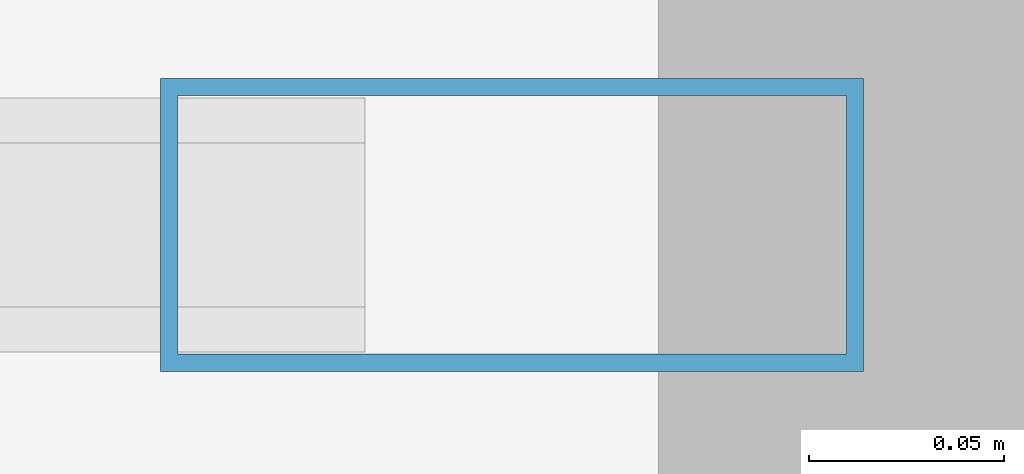
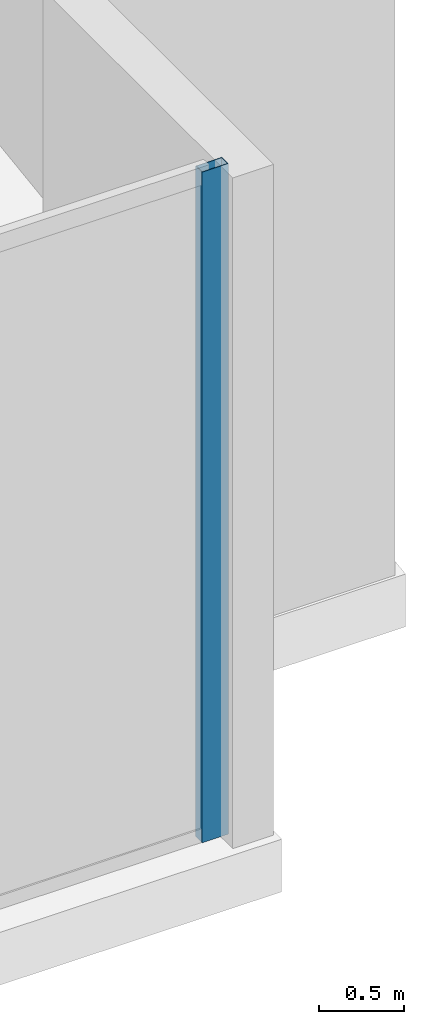
# One storey, part 18 of 36: 1 member, 1 element without a shape of its own.
"""IFC4 building model written with IfcOpenShell, lengths in metres."""

import ifcopenshell
import ifcopenshell.guid

model = None  # the IFC model being written
_history = None  # IfcOwnerHistory: only IFC2X3 demands one
_inside = {}  # id of a spatial element -> (the spatial element, [elements in it])
_under = {}  # id of a project, library or spatial element -> (it, [spatial elements below it])
_declared = {}  # id of a project -> (the project, [libraries it declares])
_typed = {}  # id of a type object -> (the type object, [elements of that type])
_made_of = {}  # id of a material, layer set ... -> (it, [elements and type objects made of it])


def new_model(schema):
    """Start an empty IFC model of exactly this schema.

    Asked for "IFC4X3", IfcOpenShell would pick the latest addendum, in which some entities
    have other attributes; the version numbers below select the first issue.
    IFC2X3 requires an IfcOwnerHistory on every rooted entity: one is made here for all.
    """
    global model, _history
    if schema == "IFC4X3":
        model = ifcopenshell.file(schema_version=(4, 3, 0, 0))
    else:
        model = ifcopenshell.file(schema=schema)
    _inside.clear()
    _under.clear()
    _declared.clear()
    _typed.clear()
    _made_of.clear()
    _history = None
    if model.schema == "IFC2X3":
        org = make("IfcOrganization", Name="unknown")
        user = make(
            "IfcPersonAndOrganization",
            ThePerson=make("IfcPerson", FamilyName="unknown"),
            TheOrganization=org,
        )
        app = make(
            "IfcApplication",
            ApplicationDeveloper=org,
            Version="unknown",
            ApplicationFullName="unknown",
            ApplicationIdentifier="unknown",
        )
        _history = make(
            "IfcOwnerHistory",
            OwningUser=user,
            OwningApplication=app,
            ChangeAction="ADDED",
            CreationDate=0,
        )
    return model


def make(cls, **values):
    """One entity of the class cls with the attributes given. An attribute that is None is left unset."""
    return model.create_entity(
        cls, **{name: value for name, value in values.items() if value is not None}
    )


def rooted(cls, **values):
    """An entity with a GlobalId (a new one), such as an element, a storey or a relation."""
    return make(cls, GlobalId=ifcopenshell.guid.new(), OwnerHistory=_history, **values)


def si_unit(unit_type, name, prefix=None):
    """IfcSIUnit, for example si_unit("LENGTHUNIT", "METRE", prefix="MILLI")."""
    return make("IfcSIUnit", UnitType=unit_type, Prefix=prefix, Name=name)


def assignment(units):
    """IfcUnitAssignment: the units of a project."""
    return None if units is None else make("IfcUnitAssignment", Units=units)


def point(xyz):
    """IfcCartesianPoint."""
    return None if xyz is None else make("IfcCartesianPoint", Coordinates=xyz)


def direction(xyz):
    """IfcDirection."""
    return None if xyz is None else make("IfcDirection", DirectionRatios=xyz)


def frame(location, z_axis=None, x_axis=None):
    """IfcAxis2Placement3D, a coordinate frame: its origin and axes. An axis left out is left unset."""
    return make(
        "IfcAxis2Placement3D",
        Location=point(location),
        Axis=direction(z_axis),
        RefDirection=direction(x_axis),
    )


def frame_2d(location, x_axis=None):
    """IfcAxis2Placement2D, a coordinate frame in the plane: its origin and x axis."""
    return make(
        "IfcAxis2Placement2D", Location=point(location), RefDirection=direction(x_axis)
    )


def origin():
    """The frame at (0, 0, 0) with its axes left unset."""
    return frame((0.0, 0.0, 0.0))


def origin_with_axes():
    """The frame at (0, 0, 0) with the z axis (0, 0, 1) and the x axis (1, 0, 0) written out."""
    return frame((0.0, 0.0, 0.0), z_axis=(0.0, 0.0, 1.0), x_axis=(1.0, 0.0, 0.0))


def origin_2d():
    """The frame at (0, 0) in the plane with its x axis left unset."""
    return frame_2d((0.0, 0.0))


def place(relative_to, where):
    """IfcLocalPlacement: puts the frame where relative to a parent placement (None: the world)."""
    return make(
        "IfcLocalPlacement", PlacementRelTo=relative_to, RelativePlacement=where
    )


def context(
    kind, dimensions, precision=None, world=None, true_north=None, identifier=None
):
    """IfcGeometricRepresentationContext, for example the 3D "Model" context."""
    return make(
        "IfcGeometricRepresentationContext",
        ContextIdentifier=identifier,
        ContextType=kind,
        CoordinateSpaceDimension=dimensions,
        Precision=precision,
        WorldCoordinateSystem=world,
        TrueNorth=true_north,
    )


def subcontext(parent, identifier, kind, view, scale=None):
    """IfcGeometricRepresentationSubContext, for example "Body" below "Model"."""
    return make(
        "IfcGeometricRepresentationSubContext",
        ContextIdentifier=identifier,
        ContextType=kind,
        ParentContext=parent,
        TargetScale=scale,
        TargetView=view,
    )


def project(units=None, contexts=None):
    """IfcProject with its units and contexts."""
    return rooted(
        "IfcProject",
        Name="project",
        RepresentationContexts=contexts,
        UnitsInContext=assignment(units),
    )


def spatial(cls, under=None, at=None, **own):
    """A site, building, storey or space (cls), placed at a placement, below another one or the project."""
    s = rooted(cls, ObjectPlacement=at, **own)
    if under is not None:
        _under.setdefault(under.id(), (under, []))[1].append(s)
    return s


def profile(cls, at=None, kind="AREA", **sizes):
    """A parametric profile (cls). Its sizes go by their IFC names, for example OverallWidth=200.0."""
    return make(cls, ProfileType=kind, Position=at, **sizes)


def hollow_rectangle(**sizes):
    """IfcRectangleHollowProfileDef."""
    return profile("IfcRectangleHollowProfileDef", **sizes)


def extrude(swept, where, along, depth):
    """IfcExtrudedAreaSolid: the profile swept, set in the frame where, extruded along a direction by depth."""
    return make(
        "IfcExtrudedAreaSolid",
        SweptArea=swept,
        Position=where,
        ExtrudedDirection=direction(along),
        Depth=depth,
    )


def shape(context_of_items, identifier, shape_type, items):
    """IfcShapeRepresentation: the items that make up one representation, for example the "Body"."""
    return make(
        "IfcShapeRepresentation",
        ContextOfItems=context_of_items,
        RepresentationIdentifier=identifier,
        RepresentationType=shape_type,
        Items=items,
    )


def source(mapping_origin, context_of_items, identifier, shape_type, items):
    """IfcRepresentationMap: a shape defined once, which mapped items show again and again."""
    return make(
        "IfcRepresentationMap",
        MappingOrigin=mapping_origin,
        MappedRepresentation=shape(context_of_items, identifier, shape_type, items),
    )


def transform(
    local_origin,
    x_axis=None,
    y_axis=None,
    z_axis=None,
    scale=None,
    scale2=None,
    scale3=None,
    uniform=True,
):
    """IfcCartesianTransformationOperator3D, or its non-uniform kind. x_axis, y_axis, z_axis: its Axis1, 2, 3."""
    if uniform:
        return make(
            "IfcCartesianTransformationOperator3D",
            Axis1=direction(x_axis),
            Axis2=direction(y_axis),
            LocalOrigin=point(local_origin),
            Scale=scale,
            Axis3=direction(z_axis),
        )
    return make(
        "IfcCartesianTransformationOperator3DnonUniform",
        Axis1=direction(x_axis),
        Axis2=direction(y_axis),
        LocalOrigin=point(local_origin),
        Scale=scale,
        Axis3=direction(z_axis),
        Scale2=scale2,
        Scale3=scale3,
    )


def mapped(mapping_source, mapping_target):
    """IfcMappedItem: shows the shape of a source again, moved by a transform."""
    return make(
        "IfcMappedItem", MappingSource=mapping_source, MappingTarget=mapping_target
    )


def material(Name=None, Category=None):
    """IfcMaterial."""
    return make("IfcMaterial", Name=Name, Category=Category)


def layer(
    of_material, thickness, ventilated=None, Name=None, Category=None, Priority=None
):
    """IfcMaterialLayer: one layer of a wall or slab, of a material (None: an air gap)."""
    return make(
        "IfcMaterialLayer",
        Material=of_material,
        LayerThickness=thickness,
        IsVentilated=ventilated,
        Name=Name,
        Category=Category,
        Priority=Priority,
    )


def layer_set(layers, Name=None):
    """IfcMaterialLayerSet."""
    return make("IfcMaterialLayerSet", MaterialLayers=layers, LayerSetName=Name)


def material_profile(
    of_material, cross_section, Name=None, Category=None, Priority=None
):
    """IfcMaterialProfile: a cross section and its material."""
    return make(
        "IfcMaterialProfile",
        Name=Name,
        Material=of_material,
        Profile=cross_section,
        Priority=Priority,
        Category=Category,
    )


def profile_set(profiles, Name=None, composite=None):
    """IfcMaterialProfileSet."""
    return make(
        "IfcMaterialProfileSet",
        Name=Name,
        MaterialProfiles=profiles,
        CompositeProfile=composite,
    )


def made_of(thing, what):
    """Note that an element or type object is made of a material, layer set ...; save() writes the relation."""
    if what is not None:
        _made_of.setdefault(what.id(), (what, []))[1].append(thing)
    return thing


def type_object(cls, material=None, **own):
    """A type object (cls), such as IfcWallType, which elements share."""
    return made_of(rooted(cls, **own), material)


def element(
    cls,
    number,
    at=None,
    inside=None,
    cuts=None,
    type_object=None,
    material=None,
    context=None,
    identifier="Body",
    shape_type=None,
    held_by="IfcProductDefinitionShape",
    body=None,
    shapes=None,
    **own,
):
    """One element of the class cls, such as IfcWall. Its Tag is "e" and its number.

    at: its placement. inside: the storey or other place that contains it. cuts: it is an
    opening in that element (IfcRelVoidsElement). A single representation is given by context,
    identifier, shape_type and body (its items); several are given by shapes. held_by: the class
    of the entity that holds the representations. save() writes the other relations.
    """
    e = rooted(cls, Tag="e%d" % number, ObjectPlacement=at, **own)
    if body is not None:
        shapes = [shape(context, identifier, shape_type, body)]
    if shapes is not None:
        e.Representation = make(held_by, Representations=shapes)
    if inside is not None:
        _inside.setdefault(inside.id(), (inside, []))[1].append(e)
    if cuts is not None:
        rooted(
            "IfcRelVoidsElement", RelatingBuildingElement=cuts, RelatedOpeningElement=e
        )
    if type_object is not None:
        _typed.setdefault(type_object.id(), (type_object, []))[1].append(e)
    return made_of(e, material)


def aggregate(whole, parts):
    """IfcRelAggregates: a whole, such as a stair, and the parts it consists of."""
    return rooted("IfcRelAggregates", RelatingObject=whole, RelatedObjects=parts)


def save(model, path):
    """Write the relations noted so far, then the file.

    IfcRelAggregates (storeys below a building ...), IfcRelContainedInSpatialStructure (elements
    in a storey), IfcRelDefinesByType, IfcRelAssociatesMaterial and IfcRelDeclares: one each for
    every whole, place, type object, material and project.
    """
    for whole, parts in _under.values():
        aggregate(whole, parts)
    for where, things in _inside.values():
        rooted(
            "IfcRelContainedInSpatialStructure",
            RelatedElements=things,
            RelatingStructure=where,
        )
    for kind, things in _typed.values():
        rooted("IfcRelDefinesByType", RelatedObjects=things, RelatingType=kind)
    for what, things in _made_of.values():
        rooted("IfcRelAssociatesMaterial", RelatedObjects=things, RelatingMaterial=what)
    for by, libraries in _declared.values():
        rooted("IfcRelDeclares", RelatingContext=by, RelatedDefinitions=libraries)
    model.write(path)


model = new_model("IFC4")

# Units and contexts
model_context = context("Model", 3, precision=1e-05, world=origin(), true_north=direction((0.0, 1.0)))
body_context = subcontext(model_context, "Body", "Model", "MODEL_VIEW")
ifc_project = project(units=[si_unit("LENGTHUNIT", "METRE"), si_unit("AREAUNIT", "SQUARE_METRE"), si_unit("VOLUMEUNIT", "CUBIC_METRE"), si_unit("PLANEANGLEUNIT", "RADIAN"), si_unit("MASSUNIT", "GRAM", prefix="KILO")], contexts=[model_context])

# Site, building, storey
site_placement = place(None, origin())
site = spatial("IfcSite", under=ifc_project, at=site_placement, CompositionType="ELEMENT")
building_placement = place(site_placement, origin())
building = spatial("IfcBuilding", under=site, at=building_placement, Name="Kolvaren Waterfront Exchange", CompositionType="ELEMENT")
storey_placement = place(building_placement, frame((0.0, 0.0, 82.800048828125)))
storey = spatial("IfcBuildingStorey", under=building, at=storey_placement, Name="L21", CompositionType="ELEMENT", Elevation=82.800048828125)

# Curtain wall, member
ifc_material_1 = material(Name="Anodised dark bronze spandrel aluminium", Category="aluminium")
ifc_layer = layer(ifc_material_1, 0.219970703125, Name="Anodised dark bronze spandrel aluminium")
ifc_layer_set = layer_set([ifc_layer], Name="Anodised dark bronze spandrel aluminium")
curtain_wall_type = type_object("IfcCurtainWallType", Name="ARC-CW-SYS6", PredefinedType="USERDEFINED", material=ifc_layer_set)
curtain_wall_placement = place(storey_placement, origin())
curtain_wall = element("IfcCurtainWall", 1, at=curtain_wall_placement, inside=storey, type_object=curtain_wall_type, Name="L21 stick curtain wall CW6 (CW-L21-S)", ObjectType="STICK CURTAIN WALL", PredefinedType="USERDEFINED")
ifc_material_2 = material(Name="Anodised bronze aluminium 6063-T6", Category="aluminium")
ifc_material_profile = material_profile(ifc_material_2, hollow_rectangle(XDim=0.074951171875, YDim=0.179931640625, WallThickness=0.00439453125, at=origin_2d()), Name="ALU-MUL-180x75x4.5")
ifc_profile_set = profile_set([ifc_material_profile], Name="Anodised bronze aluminium 6063-T6")
member_type = type_object("IfcMemberType", Name="ARC-CWM-180", PredefinedType="MULLION", material=ifc_profile_set)
shared_shape = source(origin_with_axes(), body_context, "Body", "SweptSolid", [
    extrude(hollow_rectangle(XDim=0.074951171875, YDim=0.179931640625, WallThickness=0.00439453125, at=origin_2d()), origin(), (0.0, 0.0, 1.0), 4.83984375),
])
member_placement = place(storey_placement, frame((61.0625, 1.43994140625, 0.0), z_axis=(0.0, 0.0, 1.0), x_axis=(0.0, 1.0, 0.0)))
member = element("IfcMember", 2, at=member_placement, type_object=member_type, Name="CW6 mullion 9", PredefinedType="MULLION", context=body_context, shape_type="MappedRepresentation", body=[
    mapped(shared_shape, transform((0.0, 0.0, 0.0), x_axis=(1.0, 0.0, 0.0), y_axis=(0.0, 1.0, 0.0), z_axis=(0.0, 0.0, 1.0), scale=1.0)),
])
aggregate(curtain_wall, [member])

save(model, "model.ifc")
